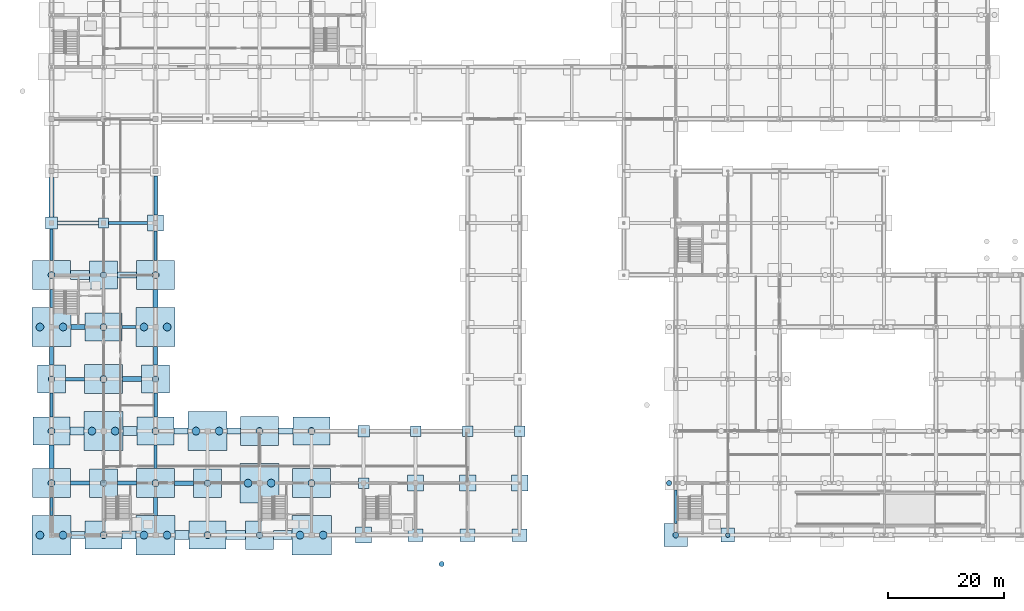
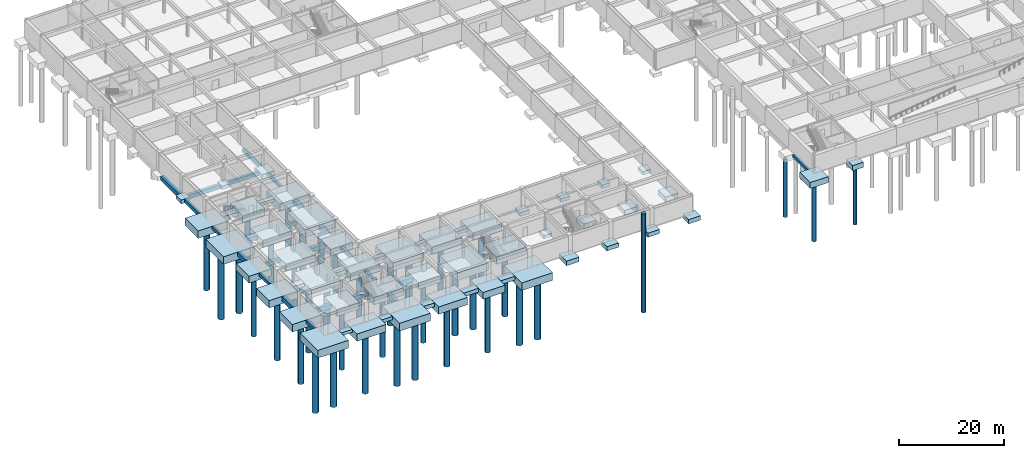
# One storey, part 1 of 41: 80 footings, 39 piles.
"""IFC4 building model written with IfcOpenShell, lengths in metres."""

from ifc_helpers import new_model, si_unit, direction, frame, origin, origin_2d, place, context, subcontext, project, spatial, rectangle, circle, extrude, material, material_profile, profile_set, type_object, element, save


model = new_model("IFC4")

# Units and contexts
model_context = context("Model", 3, precision=1e-05, world=origin(), true_north=direction((0.0, 1.0)))
body_context = subcontext(model_context, "Body", "Model", "MODEL_VIEW")
ifc_project = project(units=[si_unit("LENGTHUNIT", "METRE"), si_unit("AREAUNIT", "SQUARE_METRE"), si_unit("VOLUMEUNIT", "CUBIC_METRE"), si_unit("PLANEANGLEUNIT", "RADIAN"), si_unit("MASSUNIT", "GRAM", prefix="KILO")], contexts=[model_context])

# Site, building, storey
site_placement = place(None, origin())
site = spatial("IfcSite", under=ifc_project, at=site_placement, CompositionType="ELEMENT")
building_placement = place(site_placement, origin())
building = spatial("IfcBuilding", under=site, at=building_placement, Name="Palais des Congres Ocreval", CompositionType="ELEMENT")
storey_placement = place(building_placement, frame((0.0, 0.0, -8.9599609375)))
storey = spatial("IfcBuildingStorey", under=building, at=storey_placement, Name="B2", CompositionType="ELEMENT", Elevation=-8.9599609375)

# Piles
ifc_material = material(Name="Concrete C35/45", Category="concrete")
ifc_material_profile_1 = material_profile(ifc_material, circle(Radius=0.5, at=origin_2d()), Name="BORED PILE 1000")
ifc_profile_set_1 = profile_set([ifc_material_profile_1], Name="Concrete C35/45")
pile_type_1 = type_object("IfcPileType", Name="Bored Pile D1000 Concrete C35/45", PredefinedType="BORED", material=ifc_profile_set_1)
pile_1_placement = place(storey_placement, frame((108.0, 0.0, -2.0), z_axis=(0.0, 0.0, -1.0), x_axis=(1.0, 0.0, 0.0)))
element("IfcPile", 1, at=pile_1_placement, inside=storey, type_object=pile_type_1, Name="Bored Pile PI03", PredefinedType="BORED", context=body_context, shape_type="SweptSolid", body=[
    extrude(circle(Radius=0.5, at=origin_2d()), origin(), (0.0, 0.0, 1.0), 14.0),
])
ifc_material_profile_2 = material_profile(ifc_material, circle(Radius=0.550048828125, at=origin_2d()), Name="BORED PILE 1100")
ifc_profile_set_2 = profile_set([ifc_material_profile_2], Name="Concrete C35/45")
pile_type_2 = type_object("IfcPileType", Name="Bored Pile D1100 Concrete C35/45", PredefinedType="BORED", material=ifc_profile_set_2)
for number, where, z_axis, x_axis, name in (
    (2, (0.0, 27.0, -2.199951171875), (0.0, 0.0, -1.0), (1.0, 0.0, 0.0), "Bored Pile PI04"),
    (3, (9.0, 9.0, -2.199951171875), (0.0, 0.0, -1.0), (1.0, 0.0, 0.0), "Bored Pile PI04"),
    (4, (9.0, 45.0, -2.199951171875), (0.0, 0.0, -1.0), (1.0, 0.0, 0.0), "Bored Pile PI04"),
    (5, (18.0, 27.0, -2.199951171875), (0.0, 0.0, -1.0), (1.0, 0.0, 0.0), "Bored Pile PI04"),
    (6, (27.0, 9.0, -2.199951171875), (0.0, 0.0, -1.0), (1.0, 0.0, 0.0), "Bored Pile PI04"),
    (7, (36.0, 0.0, -2.199951171875), (0.0, 0.0, -1.0), (1.0, 0.0, 0.0), "Bored Pile PI04"),
):
    element("IfcPile", number, at=place(storey_placement, frame(where, z_axis=z_axis, x_axis=x_axis)), inside=storey, type_object=pile_type_2, Name=name, PredefinedType="BORED", context=body_context, shape_type="SweptSolid", body=[
        extrude(circle(Radius=0.550048828125, at=origin_2d()), origin(), (0.0, 0.0, 1.0), 14.5),
    ])
ifc_material_profile_3 = material_profile(ifc_material, circle(Radius=0.60009765625, at=origin_2d()), Name="BORED PILE 1200")
ifc_profile_set_3 = profile_set([ifc_material_profile_3], Name="Concrete C35/45")
pile_type_3 = type_object("IfcPileType", Name="Bored Pile D1200 Concrete C35/45", PredefinedType="BORED", material=ifc_profile_set_3)
for number, where, z_axis, x_axis, name in (
    (8, (0.0, 9.0, -2.35009765625), (0.0, 0.0, -1.0), (1.0, 0.0, 0.0), "Bored Pile PI05"),
    (9, (0.0, 18.0, -2.300048828125), (0.0, 0.0, -1.0), (1.0, 0.0, 0.0), "Bored Pile PI05"),
    (10, (0.0, 45.0, -2.35009765625), (0.0, 0.0, -1.0), (1.0, 0.0, 0.0), "Bored Pile PI05"),
    (11, (9.0, 0.0, -2.300048828125), (0.0, 0.0, -1.0), (1.0, 0.0, 0.0), "Bored Pile PI05"),
    (12, (9.0, 27.0, -2.35009765625), (0.0, 0.0, -1.0), (1.0, 0.0, 0.0), "Bored Pile PI05"),
    (13, (9.0, 36.0, -2.300048828125), (0.0, 0.0, -1.0), (1.0, 0.0, 0.0), "Bored Pile PI05"),
    (14, (18.0, 9.0, -2.35009765625), (0.0, 0.0, -1.0), (1.0, 0.0, 0.0), "Bored Pile PI05"),
    (15, (18.0, 18.0, -2.300048828125), (0.0, 0.0, -1.0), (1.0, 0.0, 0.0), "Bored Pile PI05"),
    (16, (18.0, 45.0, -2.35009765625), (0.0, 0.0, -1.0), (1.0, 0.0, 0.0), "Bored Pile PI05"),
    (17, (27.0, 0.0, -2.300048828125), (0.0, 0.0, -1.0), (1.0, 0.0, 0.0), "Bored Pile PI05"),
    (18, (36.0, 18.0, -2.35009765625), (0.0, 0.0, -1.0), (1.0, 0.0, 0.0), "Bored Pile PI05"),
    (19, (45.0, 9.0, -2.35009765625), (0.0, 0.0, -1.0), (1.0, 0.0, 0.0), "Bored Pile PI05"),
    (20, (45.0, 18.0, -2.300048828125), (0.0, 0.0, -1.0), (1.0, 0.0, 0.0), "Bored Pile PI05"),
):
    element("IfcPile", number, at=place(storey_placement, frame(where, z_axis=z_axis, x_axis=x_axis)), inside=storey, type_object=pile_type_3, Name=name, PredefinedType="BORED", context=body_context, shape_type="SweptSolid", body=[
        extrude(circle(Radius=0.60009765625, at=origin_2d()), origin(), (0.0, 0.0, 1.0), 14.5),
    ])
ifc_material_profile_4 = material_profile(ifc_material, circle(Radius=0.675048828125, at=origin_2d()), Name="BORED PILE 1350")
ifc_profile_set_4 = profile_set([ifc_material_profile_4], Name="Concrete C35/45")
pile_type_4 = type_object("IfcPileType", Name="Bored Pile D1350 Concrete C35/45", PredefinedType="BORED", material=ifc_profile_set_4)
for number, where, z_axis, x_axis, name in (
    (21, (-2.0, 0.0, -2.400146484375), (0.0, 0.0, -1.0), (1.0, 0.0, 0.0), "Bored Pile PI06"),
    (22, (2.0, 0.0, -2.400146484375), (0.0, 0.0, -1.0), (1.0, 0.0, 0.0), "Bored Pile PI06"),
    (23, (-2.0, 36.0, -2.400146484375), (0.0, 0.0, -1.0), (1.0, 0.0, 0.0), "Bored Pile PI06"),
    (24, (2.0, 36.0, -2.400146484375), (0.0, 0.0, -1.0), (1.0, 0.0, 0.0), "Bored Pile PI06"),
    (25, (7.0, 18.0, -2.400146484375), (0.0, 0.0, -1.0), (1.0, 0.0, 0.0), "Bored Pile PI06"),
    (26, (11.0, 18.0, -2.400146484375), (0.0, 0.0, -1.0), (1.0, 0.0, 0.0), "Bored Pile PI06"),
    (27, (16.0, 0.0, -2.400146484375), (0.0, 0.0, -1.0), (1.0, 0.0, 0.0), "Bored Pile PI06"),
    (28, (20.0, 0.0, -2.400146484375), (0.0, 0.0, -1.0), (1.0, 0.0, 0.0), "Bored Pile PI06"),
    (29, (16.0, 36.0, -2.400146484375), (0.0, 0.0, -1.0), (1.0, 0.0, 0.0), "Bored Pile PI06"),
    (30, (20.0, 36.0, -2.400146484375), (0.0, 0.0, -1.0), (1.0, 0.0, 0.0), "Bored Pile PI06"),
    (31, (25.0, 18.0, -2.400146484375), (0.0, 0.0, -1.0), (1.0, 0.0, 0.0), "Bored Pile PI06"),
    (32, (29.0, 18.0, -2.400146484375), (0.0, 0.0, -1.0), (1.0, 0.0, 0.0), "Bored Pile PI06"),
    (33, (34.0, 9.0, -2.400146484375), (0.0, 0.0, -1.0), (1.0, 0.0, 0.0), "Bored Pile PI06"),
    (34, (38.0, 9.0, -2.400146484375), (0.0, 0.0, -1.0), (1.0, 0.0, 0.0), "Bored Pile PI06"),
    (35, (43.0, 0.0, -2.400146484375), (0.0, 0.0, -1.0), (1.0, 0.0, 0.0), "Bored Pile PI06"),
    (36, (47.0, 0.0, -2.400146484375), (0.0, 0.0, -1.0), (1.0, 0.0, 0.0), "Bored Pile PI06"),
):
    element("IfcPile", number, at=place(storey_placement, frame(where, z_axis=z_axis, x_axis=x_axis)), inside=storey, type_object=pile_type_4, Name=name, PredefinedType="BORED", context=body_context, shape_type="SweptSolid", body=[
        extrude(circle(Radius=0.675048828125, at=origin_2d()), origin(), (0.0, 0.0, 1.0), 15.0),
    ])
ifc_material_profile_5 = material_profile(ifc_material, circle(Radius=0.39990234375, at=origin_2d()), Name="BORED PILE 800")
ifc_profile_set_5 = profile_set([ifc_material_profile_5], Name="Concrete C35/45")
pile_type_5 = type_object("IfcPileType", Name="Bored Pile D800 Concrete C35/45", PredefinedType="BORED", material=ifc_profile_set_5)
pile_2_placement = place(storey_placement, frame((117.0, 0.0, -1.800048828125), z_axis=(0.0, 0.0, -1.0), x_axis=(1.0, 0.0, 0.0)))
element("IfcPile", 37, at=pile_2_placement, inside=storey, type_object=pile_type_5, Name="Bored Pile PI01", PredefinedType="BORED", context=body_context, shape_type="SweptSolid", body=[
    extrude(circle(Radius=0.39990234375, at=origin_2d()), origin(), (0.0, 0.0, 1.0), 13.5),
])
ifc_material_profile_6 = material_profile(ifc_material, circle(Radius=0.449951171875, at=origin_2d()), Name="BORED PILE 900")
ifc_profile_set_6 = profile_set([ifc_material_profile_6], Name="Concrete C35/45")
pile_type_6 = type_object("IfcPileType", Name="Bored Pile D900 Concrete C35/45", PredefinedType="BORED", material=ifc_profile_set_6)
pile_3_placement = place(storey_placement, frame((106.85009765625, 9.0, -1.900146484375), z_axis=(0.0, 0.0, -1.0), x_axis=(1.0, 0.0, 0.0)))
element("IfcPile", 38, at=pile_3_placement, inside=storey, type_object=pile_type_6, Name="Bored Pile PI02", PredefinedType="BORED", context=body_context, shape_type="SweptSolid", body=[
    extrude(circle(Radius=0.449951171875, at=origin_2d()), origin(), (0.0, 0.0, 1.0), 13.5),
])
pile_4_placement = place(storey_placement, frame((67.5, -5.0, 7.679931640625), z_axis=(0.0, 0.0, -1.0), x_axis=(1.0, 0.0, 0.0)))
element("IfcPile", 39, at=pile_4_placement, inside=storey, type_object=pile_type_6, Name="South Crossroads Accessible PMR Ramp R4 Threshold Bored Pile", PredefinedType="BORED", context=body_context, shape_type="SweptSolid", body=[
    extrude(circle(Radius=0.449951171875, at=origin_2d()), origin(), (0.0, 0.0, 1.0), 23.080078125),
])

# Footings
footing_type_1 = type_object("IfcFootingType", Name="Ground Tie Beam 500x700 Concrete C35/45", PredefinedType="FOOTING_BEAM", material=ifc_material)
footing_1_placement = place(storey_placement, frame((0.0, 22.47509765625, -1.2998046875), z_axis=(0.0, 0.0, 1.0), x_axis=(0.0, 1.0, 0.0)))
element("IfcFooting", 40, at=footing_1_placement, inside=storey, type_object=footing_type_1, Name="Foundation Beam TB04", PredefinedType="FOOTING_BEAM", context=body_context, shape_type="SweptSolid", body=[
    extrude(rectangle(XDim=4.14990234375, YDim=0.5, at=origin_2d()), origin(), (0.0, 0.0, 1.0), 0.699951171875),
])
footing_2_placement = place(storey_placement, frame((0.0, 40.949951171875, -1.2998046875), z_axis=(0.0, 0.0, 1.0), x_axis=(0.0, 1.0, 0.0)))
element("IfcFooting", 41, at=footing_2_placement, inside=storey, type_object=footing_type_1, Name="Foundation Beam TB04", PredefinedType="FOOTING_BEAM", context=body_context, shape_type="SweptSolid", body=[
    extrude(rectangle(XDim=3.10009765625, YDim=0.5, at=origin_2d()), origin(), (0.0, 0.0, 1.0), 0.699951171875),
])
footing_3_placement = place(storey_placement, frame((13.39990234375, 36.0, -1.2998046875), z_axis=(0.0, 0.0, 1.0), x_axis=(1.0, 0.0, 0.0)))
element("IfcFooting", 42, at=footing_3_placement, inside=storey, type_object=footing_type_1, Name="Foundation Beam TB04", PredefinedType="FOOTING_BEAM", context=body_context, shape_type="SweptSolid", body=[
    extrude(rectangle(XDim=2.39990234375, YDim=0.5, at=origin_2d()), origin(), (0.0, 0.0, 1.0), 0.699951171875),
])
footing_4_placement = place(storey_placement, frame((18.0, 13.550048828125, -1.2998046875), z_axis=(0.0, 0.0, 1.0), x_axis=(0.0, 1.0, 0.0)))
element("IfcFooting", 43, at=footing_4_placement, inside=storey, type_object=footing_type_1, Name="Foundation Beam TB04", PredefinedType="FOOTING_BEAM", context=body_context, shape_type="SweptSolid", body=[
    extrude(rectangle(XDim=4.10009765625, YDim=0.5, at=origin_2d()), origin(), (0.0, 0.0, 1.0), 0.699951171875),
])
footing_5_placement = place(storey_placement, frame((18.0, 50.050048828125, -1.2998046875), z_axis=(0.0, 0.0, 1.0), x_axis=(0.0, 1.0, 0.0)))
element("IfcFooting", 44, at=footing_5_placement, inside=storey, type_object=footing_type_1, Name="Foundation Beam TB04", PredefinedType="FOOTING_BEAM", context=body_context, shape_type="SweptSolid", body=[
    extrude(rectangle(XDim=5.10009765625, YDim=0.5, at=origin_2d()), origin(), (0.0, 0.0, 1.0), 0.699951171875),
])
footing_6_placement = place(storey_placement, frame((108.0, 4.89990234375, -1.2998046875), z_axis=(0.0, 0.0, 1.0), x_axis=(0.0, 1.0, 0.0)))
element("IfcFooting", 45, at=footing_6_placement, inside=storey, type_object=footing_type_1, Name="Foundation Beam TB04", PredefinedType="FOOTING_BEAM", context=body_context, shape_type="SweptSolid", body=[
    extrude(rectangle(XDim=5.800048828125, YDim=0.5, at=origin_2d()), origin(), (0.0, 0.0, 1.0), 0.699951171875),
])
footing_type_2 = type_object("IfcFootingType", Name="Ground Tie Beam 600x800 Concrete C35/45", PredefinedType="FOOTING_BEAM", material=ifc_material)
footing_7_placement = place(storey_placement, frame((0.0, 4.949951171875, -1.39990234375), z_axis=(0.0, 0.0, 1.0), x_axis=(0.0, 1.0, 0.0)))
element("IfcFooting", 46, at=footing_7_placement, inside=storey, type_object=footing_type_2, Name="Foundation Beam TB01", PredefinedType="FOOTING_BEAM", context=body_context, shape_type="SweptSolid", body=[
    extrude(rectangle(XDim=3.10009765625, YDim=0.60009765625, at=origin_2d()), origin(), (0.0, 0.0, 1.0), 0.800048828125),
])
footing_8_placement = place(storey_placement, frame((4.074951171875, 27.0, -1.39990234375), z_axis=(0.0, 0.0, 1.0), x_axis=(1.0, 0.0, 0.0)))
element("IfcFooting", 47, at=footing_8_placement, inside=storey, type_object=footing_type_2, Name="Foundation Beam TB01", PredefinedType="FOOTING_BEAM", context=body_context, shape_type="SweptSolid", body=[
    extrude(rectangle(XDim=3.25, YDim=0.60009765625, at=origin_2d()), origin(), (0.0, 0.0, 1.0), 0.800048828125),
])
footing_9_placement = place(storey_placement, frame((0.0, 50.25, -1.39990234375), z_axis=(0.0, 0.0, 1.0), x_axis=(0.0, 1.0, 0.0)))
element("IfcFooting", 48, at=footing_9_placement, inside=storey, type_object=footing_type_2, Name="Foundation Beam TB01", PredefinedType="FOOTING_BEAM", context=body_context, shape_type="SweptSolid", body=[
    extrude(rectangle(XDim=5.5, YDim=0.60009765625, at=origin_2d()), origin(), (0.0, 0.0, 1.0), 0.800048828125),
])
footing_10_placement = place(storey_placement, frame((13.25, 54.0, -1.39990234375), z_axis=(0.0, 0.0, 1.0), x_axis=(1.0, 0.0, 0.0)))
element("IfcFooting", 49, at=footing_10_placement, inside=storey, type_object=footing_type_2, Name="Foundation Beam TB01", PredefinedType="FOOTING_BEAM", context=body_context, shape_type="SweptSolid", body=[
    extrude(rectangle(XDim=6.699951171875, YDim=0.60009765625, at=origin_2d()), origin(), (0.0, 0.0, 1.0), 0.800048828125),
])
footing_11_placement = place(storey_placement, frame((18.0, 22.47509765625, -1.39990234375), z_axis=(0.0, 0.0, 1.0), x_axis=(0.0, 1.0, 0.0)))
element("IfcFooting", 50, at=footing_11_placement, inside=storey, type_object=footing_type_2, Name="Foundation Beam TB01", PredefinedType="FOOTING_BEAM", context=body_context, shape_type="SweptSolid", body=[
    extrude(rectangle(XDim=4.14990234375, YDim=0.60009765625, at=origin_2d()), origin(), (0.0, 0.0, 1.0), 0.800048828125),
])
footing_12_placement = place(storey_placement, frame((18.0, 58.75, -1.39990234375), z_axis=(0.0, 0.0, 1.0), x_axis=(0.0, 1.0, 0.0)))
element("IfcFooting", 51, at=footing_12_placement, inside=storey, type_object=footing_type_2, Name="Foundation Beam TB01", PredefinedType="FOOTING_BEAM", context=body_context, shape_type="SweptSolid", body=[
    extrude(rectangle(XDim=6.699951171875, YDim=0.60009765625, at=origin_2d()), origin(), (0.0, 0.0, 1.0), 0.800048828125),
])
footing_type_3 = type_object("IfcFootingType", Name="Ground Tie Beam 700x900 Concrete C35/45", PredefinedType="FOOTING_BEAM", material=ifc_material)
footing_13_placement = place(storey_placement, frame((4.925048828125, 9.0, -1.5), z_axis=(0.0, 0.0, 1.0), x_axis=(1.0, 0.0, 0.0)))
element("IfcFooting", 52, at=footing_13_placement, inside=storey, type_object=footing_type_3, Name="Foundation Beam TB02", PredefinedType="FOOTING_BEAM", context=body_context, shape_type="SweptSolid", body=[
    extrude(rectangle(XDim=3.25, YDim=0.699951171875, at=origin_2d()), origin(), (0.0, 0.0, 1.0), 0.89990234375),
])
footing_14_placement = place(storey_placement, frame((0.0, 31.02490234375, -1.5), z_axis=(0.0, 0.0, 1.0), x_axis=(0.0, 1.0, 0.0)))
element("IfcFooting", 53, at=footing_14_placement, inside=storey, type_object=footing_type_3, Name="Foundation Beam TB02", PredefinedType="FOOTING_BEAM", context=body_context, shape_type="SweptSolid", body=[
    extrude(rectangle(XDim=3.14990234375, YDim=0.699951171875, at=origin_2d()), origin(), (0.0, 0.0, 1.0), 0.89990234375),
])
footing_15_placement = place(storey_placement, frame((4.550048828125, 54.0, -1.5), z_axis=(0.0, 0.0, 1.0), x_axis=(1.0, 0.0, 0.0)))
element("IfcFooting", 54, at=footing_15_placement, inside=storey, type_object=footing_type_3, Name="Foundation Beam TB02", PredefinedType="FOOTING_BEAM", context=body_context, shape_type="SweptSolid", body=[
    extrude(rectangle(XDim=7.10009765625, YDim=0.699951171875, at=origin_2d()), origin(), (0.0, 0.0, 1.0), 0.89990234375),
])
footing_16_placement = place(storey_placement, frame((13.074951171875, 9.0, -1.5), z_axis=(0.0, 0.0, 1.0), x_axis=(1.0, 0.0, 0.0)))
element("IfcFooting", 55, at=footing_16_placement, inside=storey, type_object=footing_type_3, Name="Foundation Beam TB02", PredefinedType="FOOTING_BEAM", context=body_context, shape_type="SweptSolid", body=[
    extrude(rectangle(XDim=3.25, YDim=0.699951171875, at=origin_2d()), origin(), (0.0, 0.0, 1.0), 0.89990234375),
])
footing_17_placement = place(storey_placement, frame((18.0, 4.949951171875, -1.5), z_axis=(0.0, 0.0, 1.0), x_axis=(0.0, 1.0, 0.0)))
element("IfcFooting", 56, at=footing_17_placement, inside=storey, type_object=footing_type_3, Name="Foundation Beam TB02", PredefinedType="FOOTING_BEAM", context=body_context, shape_type="SweptSolid", body=[
    extrude(rectangle(XDim=3.10009765625, YDim=0.699951171875, at=origin_2d()), origin(), (0.0, 0.0, 1.0), 0.89990234375),
])
footing_18_placement = place(storey_placement, frame((18.0, 31.02490234375, -1.5), z_axis=(0.0, 0.0, 1.0), x_axis=(0.0, 1.0, 0.0)))
element("IfcFooting", 57, at=footing_18_placement, inside=storey, type_object=footing_type_3, Name="Foundation Beam TB02", PredefinedType="FOOTING_BEAM", context=body_context, shape_type="SweptSolid", body=[
    extrude(rectangle(XDim=3.14990234375, YDim=0.699951171875, at=origin_2d()), origin(), (0.0, 0.0, 1.0), 0.89990234375),
])
footing_type_4 = type_object("IfcFootingType", Name="Ground Tie Beam 800x1000 Concrete C35/45", PredefinedType="FOOTING_BEAM", material=ifc_material)
footing_19_placement = place(storey_placement, frame((0.0, 13.550048828125, -1.60009765625), z_axis=(0.0, 0.0, 1.0), x_axis=(0.0, 1.0, 0.0)))
element("IfcFooting", 58, at=footing_19_placement, inside=storey, type_object=footing_type_4, Name="Foundation Beam TB03", PredefinedType="FOOTING_BEAM", context=body_context, shape_type="SweptSolid", body=[
    extrude(rectangle(XDim=4.10009765625, YDim=0.800048828125, at=origin_2d()), origin(), (0.0, 0.0, 1.0), 1.0),
])
footing_20_placement = place(storey_placement, frame((4.60009765625, 36.0, -1.60009765625), z_axis=(0.0, 0.0, 1.0), x_axis=(1.0, 0.0, 0.0)))
element("IfcFooting", 59, at=footing_20_placement, inside=storey, type_object=footing_type_4, Name="Foundation Beam TB03", PredefinedType="FOOTING_BEAM", context=body_context, shape_type="SweptSolid", body=[
    extrude(rectangle(XDim=2.39990234375, YDim=0.800048828125, at=origin_2d()), origin(), (0.0, 0.0, 1.0), 1.0),
])
footing_21_placement = place(storey_placement, frame((0.0, 58.449951171875, -1.60009765625), z_axis=(0.0, 0.0, 1.0), x_axis=(0.0, 1.0, 0.0)))
element("IfcFooting", 60, at=footing_21_placement, inside=storey, type_object=footing_type_4, Name="Foundation Beam TB03", PredefinedType="FOOTING_BEAM", context=body_context, shape_type="SweptSolid", body=[
    extrude(rectangle(XDim=6.89990234375, YDim=0.800048828125, at=origin_2d()), origin(), (0.0, 0.0, 1.0), 1.0),
])
for number, where, z_axis, x_axis, name in (
    (61, (13.925048828125, 27.0, -1.60009765625), (0.0, 0.0, 1.0), (1.0, 0.0, 0.0), "Foundation Beam TB03"),
    (62, (22.925048828125, 9.0, -1.60009765625), (0.0, 0.0, 1.0), (1.0, 0.0, 0.0), "Foundation Beam TB03"),
):
    element("IfcFooting", number, at=place(storey_placement, frame(where, z_axis=z_axis, x_axis=x_axis)), inside=storey, type_object=footing_type_4, Name=name, PredefinedType="FOOTING_BEAM", context=body_context, shape_type="SweptSolid", body=[
        extrude(rectangle(XDim=3.25, YDim=0.800048828125, at=origin_2d()), origin(), (0.0, 0.0, 1.0), 1.0),
    ])
footing_22_placement = place(storey_placement, frame((18.0, 40.949951171875, -1.60009765625), z_axis=(0.0, 0.0, 1.0), x_axis=(0.0, 1.0, 0.0)))
element("IfcFooting", 63, at=footing_22_placement, inside=storey, type_object=footing_type_4, Name="Foundation Beam TB03", PredefinedType="FOOTING_BEAM", context=body_context, shape_type="SweptSolid", body=[
    extrude(rectangle(XDim=3.10009765625, YDim=0.800048828125, at=origin_2d()), origin(), (0.0, 0.0, 1.0), 1.0),
])
footing_type_5 = type_object("IfcFootingType", Name="Pad Footing 1800x1800x800 Concrete C35/45", PredefinedType="PAD_FOOTING", material=ifc_material)
for number, where, z_axis, x_axis, name in (
    (64, (9.0, 54.0, -1.39990234375), (0.0, 0.0, 1.0), (1.0, 0.0, 0.0), "Foundation PF01 (9,54)"),
    (65, (54.0, 9.0, -1.39990234375), (0.0, 0.0, 1.0), (1.0, 0.0, 0.0), "Foundation PF01 (54,9)"),
    (66, (63.0, 18.0, -1.39990234375), (0.0, 0.0, 1.0), (1.0, 0.0, 0.0), "Foundation PF01 (63,18)"),
    (67, (72.0, 18.0, -1.39990234375), (0.0, 0.0, 1.0), (1.0, 0.0, 0.0), "Foundation PF01 (72,18)"),
    (68, (81.0, 18.0, -1.39990234375), (0.0, 0.0, 1.0), (1.0, 0.0, 0.0), "Foundation PF01 (81,18)"),
):
    element("IfcFooting", number, at=place(storey_placement, frame(where, z_axis=z_axis, x_axis=x_axis)), inside=storey, type_object=footing_type_5, Name=name, PredefinedType="PAD_FOOTING", context=body_context, shape_type="SweptSolid", body=[
        extrude(rectangle(XDim=1.800048828125, YDim=1.800048828125, at=origin_2d()), origin(), (0.0, 0.0, 1.0), 0.800048828125),
    ])
footing_type_6 = type_object("IfcFootingType", Name="Pad Footing 2000x2000x900 Concrete C35/45", PredefinedType="PAD_FOOTING", material=ifc_material)
for number, where, z_axis, x_axis, name in (
    (69, (0.0, 54.0, -1.5), (0.0, 0.0, 1.0), (1.0, 0.0, 0.0), "Foundation PF02 (0,54)"),
    (70, (54.0, 18.0, -1.5), (0.0, 0.0, 1.0), (1.0, 0.0, 0.0), "Foundation PF02 (54,18)"),
):
    element("IfcFooting", number, at=place(storey_placement, frame(where, z_axis=z_axis, x_axis=x_axis)), inside=storey, type_object=footing_type_6, Name=name, PredefinedType="PAD_FOOTING", context=body_context, shape_type="SweptSolid", body=[
        extrude(rectangle(XDim=2.0, YDim=2.0, at=origin_2d()), origin(), (0.0, 0.0, 1.0), 0.89990234375),
    ])
footing_type_7 = type_object("IfcFootingType", Name="Pad Footing 2600x2200x1000 Concrete C35/45", PredefinedType="PAD_FOOTING", material=ifc_material)
for number, where, z_axis, x_axis, name in (
    (71, (63.0, 0.0, -1.60009765625), (0.0, 0.0, 1.0), (1.0, 0.0, 0.0), "Foundation PF04 (63,0)"),
    (72, (72.0, 0.0, -1.60009765625), (0.0, 0.0, 1.0), (1.0, 0.0, 0.0), "Foundation PF04 (72,0)"),
    (73, (81.0, 0.0, -1.60009765625), (0.0, 0.0, 1.0), (1.0, 0.0, 0.0), "Foundation PF04 (81,0)"),
):
    element("IfcFooting", number, at=place(storey_placement, frame(where, z_axis=z_axis, x_axis=x_axis)), inside=storey, type_object=footing_type_7, Name=name, PredefinedType="PAD_FOOTING", context=body_context, shape_type="SweptSolid", body=[
        extrude(rectangle(XDim=2.60009765625, YDim=2.199951171875, at=origin_2d()), origin(), (0.0, 0.0, 1.0), 1.0),
    ])
footing_type_8 = type_object("IfcFootingType", Name="Pad Footing 2800x2800x1100 Concrete C35/45", PredefinedType="PAD_FOOTING", material=ifc_material)
for number, where, z_axis, x_axis, name in (
    (74, (18.0, 54.0, -1.7001953125), (0.0, 0.0, 1.0), (1.0, 0.0, 0.0), "Foundation PF05 (18,54)"),
    (75, (54.0, 0.0, -1.7001953125), (0.0, 0.0, 1.0), (1.0, 0.0, 0.0), "Foundation PF05 (54,0)"),
    (76, (63.0, 9.0, -1.7001953125), (0.0, 0.0, 1.0), (1.0, 0.0, 0.0), "Foundation PF05 (63,9)"),
    (77, (72.0, 9.0, -1.7001953125), (0.0, 0.0, 1.0), (1.0, 0.0, 0.0), "Foundation PF05 (72,9)"),
    (78, (81.0, 9.0, -1.7001953125), (0.0, 0.0, 1.0), (1.0, 0.0, 0.0), "Foundation PF05 (81,9)"),
):
    element("IfcFooting", number, at=place(storey_placement, frame(where, z_axis=z_axis, x_axis=x_axis)), inside=storey, type_object=footing_type_8, Name=name, PredefinedType="PAD_FOOTING", context=body_context, shape_type="SweptSolid", body=[
        extrude(rectangle(XDim=2.800048828125, YDim=2.800048828125, at=origin_2d()), origin(), (0.0, 0.0, 1.0), 1.10009765625),
    ])
footing_type_9 = type_object("IfcFootingType", Name="Pile Cap 2400x2400x1200 Concrete C35/45", PredefinedType="PILE_CAP", material=ifc_material)
footing_23_placement = place(storey_placement, frame((117.0, 0.0, -1.7998046875), z_axis=(0.0, 0.0, 1.0), x_axis=(1.0, 0.0, 0.0)))
element("IfcFooting", 79, at=footing_23_placement, inside=storey, type_object=footing_type_9, Name="Foundation PC01 (117,0)", PredefinedType="PILE_CAP", context=body_context, shape_type="SweptSolid", body=[
    extrude(rectangle(XDim=2.39990234375, YDim=2.39990234375, at=origin_2d()), origin(), (0.0, 0.0, 1.0), 1.199951171875),
])
footing_type_10 = type_object("IfcFootingType", Name="Pile Cap 4000x4000x1400 Concrete C35/45", PredefinedType="PILE_CAP", material=ifc_material)
footing_24_placement = place(storey_placement, frame((108.0, 0.0, -2.0), z_axis=(0.0, 0.0, 1.0), x_axis=(1.0, 0.0, 0.0)))
element("IfcFooting", 80, at=footing_24_placement, inside=storey, type_object=footing_type_10, Name="Foundation PC03 (108,0)", PredefinedType="PILE_CAP", context=body_context, shape_type="SweptSolid", body=[
    extrude(rectangle(XDim=4.0, YDim=4.0, at=origin_2d()), origin(), (0.0, 0.0, 1.0), 1.39990234375),
])
footing_type_11 = type_object("IfcFootingType", Name="Pile Cap 4900x4900x1600 Concrete C35/45", PredefinedType="PILE_CAP", material=ifc_material)
for number, where, z_axis, x_axis, name in (
    (81, (0.0, 27.0, -2.2001953125), (0.0, 0.0, 1.0), (1.0, 0.0, 0.0), "Foundation PC06 (0,27)"),
    (82, (9.0, 9.0, -2.2001953125), (0.0, 0.0, 1.0), (1.0, 0.0, 0.0), "Foundation PC06 (9,9)"),
    (83, (9.0, 45.0, -2.2001953125), (0.0, 0.0, 1.0), (1.0, 0.0, 0.0), "Foundation PC06 (9,45)"),
    (84, (18.0, 27.0, -2.2001953125), (0.0, 0.0, 1.0), (1.0, 0.0, 0.0), "Foundation PC06 (18,27)"),
    (85, (27.0, 9.0, -2.2001953125), (0.0, 0.0, 1.0), (1.0, 0.0, 0.0), "Foundation PC06 (27,9)"),
    (86, (36.0, 0.0, -2.2001953125), (0.0, 0.0, 1.0), (1.0, 0.0, 0.0), "Foundation PC06 (36,0)"),
):
    element("IfcFooting", number, at=place(storey_placement, frame(where, z_axis=z_axis, x_axis=x_axis)), inside=storey, type_object=footing_type_11, Name=name, PredefinedType="PILE_CAP", context=body_context, shape_type="SweptSolid", body=[
        extrude(rectangle(XDim=4.89990234375, YDim=4.89990234375, at=origin_2d()), origin(), (0.0, 0.0, 1.0), 1.60009765625),
    ])
footing_type_12 = type_object("IfcFootingType", Name="Pile Cap 6400x4800x1700 Concrete C35/45", PredefinedType="PILE_CAP", material=ifc_material)
for number, where, z_axis, x_axis, name in (
    (87, (0.0, 18.0, -2.2998046875), (0.0, 0.0, 1.0), (1.0, 0.0, 0.0), "Foundation PC08 (0,18)"),
    (88, (9.0, 0.0, -2.2998046875), (0.0, 0.0, 1.0), (1.0, 0.0, 0.0), "Foundation PC08 (9,0)"),
    (89, (9.0, 36.0, -2.2998046875), (0.0, 0.0, 1.0), (1.0, 0.0, 0.0), "Foundation PC08 (9,36)"),
    (90, (18.0, 18.0, -2.2998046875), (0.0, 0.0, 1.0), (1.0, 0.0, 0.0), "Foundation PC08 (18,18)"),
    (91, (27.0, 0.0, -2.2998046875), (0.0, 0.0, 1.0), (1.0, 0.0, 0.0), "Foundation PC08 (27,0)"),
    (92, (45.0, 18.0, -2.2998046875), (0.0, 0.0, 1.0), (1.0, 0.0, 0.0), "Foundation PC08 (45,18)"),
):
    element("IfcFooting", number, at=place(storey_placement, frame(where, z_axis=z_axis, x_axis=x_axis)), inside=storey, type_object=footing_type_12, Name=name, PredefinedType="PILE_CAP", context=body_context, shape_type="SweptSolid", body=[
        extrude(rectangle(XDim=6.39990234375, YDim=4.800048828125, at=origin_2d()), origin(), (0.0, 0.0, 1.0), 1.699951171875),
    ])
footing_type_13 = type_object("IfcFootingType", Name="Pile Cap 6600x5000x1750 Concrete C35/45", PredefinedType="PILE_CAP", material=ifc_material)
for number, where, z_axis, x_axis, name in (
    (93, (0.0, 9.0, -2.35009765625), (0.0, 0.0, 1.0), (1.0, 0.0, 0.0), "Foundation PC09 (0,9)"),
    (94, (0.0, 45.0, -2.35009765625), (0.0, 0.0, 1.0), (1.0, 0.0, 0.0), "Foundation PC09 (0,45)"),
    (95, (9.0, 27.0, -2.35009765625), (0.0, 0.0, 1.0), (1.0, 0.0, 0.0), "Foundation PC09 (9,27)"),
    (96, (18.0, 9.0, -2.35009765625), (0.0, 0.0, 1.0), (1.0, 0.0, 0.0), "Foundation PC09 (18,9)"),
    (97, (18.0, 45.0, -2.35009765625), (0.0, 0.0, 1.0), (1.0, 0.0, 0.0), "Foundation PC09 (18,45)"),
    (98, (36.0, 18.0, -2.35009765625), (0.0, 0.0, 1.0), (1.0, 0.0, 0.0), "Foundation PC09 (36,18)"),
    (99, (45.0, 9.0, -2.35009765625), (0.0, 0.0, 1.0), (1.0, 0.0, 0.0), "Foundation PC09 (45,9)"),
):
    element("IfcFooting", number, at=place(storey_placement, frame(where, z_axis=z_axis, x_axis=x_axis)), inside=storey, type_object=footing_type_13, Name=name, PredefinedType="PILE_CAP", context=body_context, shape_type="SweptSolid", body=[
        extrude(rectangle(XDim=6.60009765625, YDim=5.0, at=origin_2d()), origin(), (0.0, 0.0, 1.0), 1.75),
    ])
footing_type_14 = type_object("IfcFootingType", Name="Pile Cap 6800x6800x1800 Concrete C35/45", PredefinedType="PILE_CAP", material=ifc_material)
for number, where, z_axis, x_axis, name in (
    (100, (0.0, 0.0, -2.39990234375), (0.0, 0.0, 1.0), (1.0, 0.0, 0.0), "Foundation PC10 (0,0)"),
    (101, (0.0, 36.0, -2.39990234375), (0.0, 0.0, 1.0), (1.0, 0.0, 0.0), "Foundation PC10 (0,36)"),
    (102, (9.0, 18.0, -2.39990234375), (0.0, 0.0, 1.0), (1.0, 0.0, 0.0), "Foundation PC10 (9,18)"),
    (103, (18.0, 0.0, -2.39990234375), (0.0, 0.0, 1.0), (1.0, 0.0, 0.0), "Foundation PC10 (18,0)"),
    (104, (18.0, 36.0, -2.39990234375), (0.0, 0.0, 1.0), (1.0, 0.0, 0.0), "Foundation PC10 (18,36)"),
    (105, (27.0, 18.0, -2.39990234375), (0.0, 0.0, 1.0), (1.0, 0.0, 0.0), "Foundation PC10 (27,18)"),
    (106, (36.0, 9.0, -2.39990234375), (0.0, 0.0, 1.0), (1.0, 0.0, 0.0), "Foundation PC10 (36,9)"),
    (107, (45.0, 0.0, -2.39990234375), (0.0, 0.0, 1.0), (1.0, 0.0, 0.0), "Foundation PC10 (45,0)"),
):
    element("IfcFooting", number, at=place(storey_placement, frame(where, z_axis=z_axis, x_axis=x_axis)), inside=storey, type_object=footing_type_14, Name=name, PredefinedType="PILE_CAP", context=body_context, shape_type="SweptSolid", body=[
        extrude(rectangle(XDim=6.800048828125, YDim=6.800048828125, at=origin_2d()), origin(), (0.0, 0.0, 1.0), 1.800048828125),
    ])
footing_type_15 = type_object("IfcFootingType", Name="Wall Strip Footing 1000x650 Concrete C35/45", PredefinedType="STRIP_FOOTING", material=ifc_material)
footing_25_placement = place(storey_placement, frame((13.074951171875, 45.0, -1.25), z_axis=(0.0, 0.0, 1.0), x_axis=(1.0, 0.0, 0.0)))
element("IfcFooting", 108, at=footing_25_placement, inside=storey, type_object=footing_type_15, Name="Foundation Beam SF04", PredefinedType="STRIP_FOOTING", context=body_context, shape_type="SweptSolid", body=[
    extrude(rectangle(XDim=3.25, YDim=1.0, at=origin_2d()), origin(), (0.0, 0.0, 1.0), 0.64990234375),
])
footing_26_placement = place(storey_placement, frame((22.39990234375, 18.0, -1.25), z_axis=(0.0, 0.0, 1.0), x_axis=(1.0, 0.0, 0.0)))
element("IfcFooting", 109, at=footing_26_placement, inside=storey, type_object=footing_type_15, Name="Foundation Beam SF04", PredefinedType="STRIP_FOOTING", context=body_context, shape_type="SweptSolid", body=[
    extrude(rectangle(XDim=2.39990234375, YDim=1.0, at=origin_2d()), origin(), (0.0, 0.0, 1.0), 0.64990234375),
])
footing_27_placement = place(storey_placement, frame((31.550048828125, 18.0, -1.25), z_axis=(0.0, 0.0, 1.0), x_axis=(1.0, 0.0, 0.0)))
element("IfcFooting", 110, at=footing_27_placement, inside=storey, type_object=footing_type_15, Name="Foundation Beam SF04", PredefinedType="STRIP_FOOTING", context=body_context, shape_type="SweptSolid", body=[
    extrude(rectangle(XDim=2.300048828125, YDim=1.0, at=origin_2d()), origin(), (0.0, 0.0, 1.0), 0.64990234375),
])
footing_28_placement = place(storey_placement, frame((40.550048828125, 18.0, -1.25), z_axis=(0.0, 0.0, 1.0), x_axis=(1.0, 0.0, 0.0)))
element("IfcFooting", 111, at=footing_28_placement, inside=storey, type_object=footing_type_15, Name="Foundation Beam SF04", PredefinedType="STRIP_FOOTING", context=body_context, shape_type="SweptSolid", body=[
    extrude(rectangle(XDim=2.5, YDim=1.0, at=origin_2d()), origin(), (0.0, 0.0, 1.0), 0.64990234375),
])
footing_type_16 = type_object("IfcFootingType", Name="Wall Strip Footing 1200x700 Concrete C35/45", PredefinedType="STRIP_FOOTING", material=ifc_material)
footing_29_placement = place(storey_placement, frame((4.60009765625, 0.0, -1.2998046875), z_axis=(0.0, 0.0, 1.0), x_axis=(1.0, 0.0, 0.0)))
element("IfcFooting", 112, at=footing_29_placement, inside=storey, type_object=footing_type_16, Name="Foundation Beam SF01", PredefinedType="STRIP_FOOTING", context=body_context, shape_type="SweptSolid", body=[
    extrude(rectangle(XDim=2.39990234375, YDim=1.199951171875, at=origin_2d()), origin(), (0.0, 0.0, 1.0), 0.699951171875),
])
footing_type_17 = type_object("IfcFootingType", Name="Wall Strip Footing 1400x800 Concrete C35/45", PredefinedType="STRIP_FOOTING", material=ifc_material)
for number, where, z_axis, x_axis, name in (
    (113, (4.39990234375, 18.0, -1.39990234375), (0.0, 0.0, 1.0), (1.0, 0.0, 0.0), "Foundation Beam SF02"),
    (114, (13.39990234375, 0.0, -1.39990234375), (0.0, 0.0, 1.0), (1.0, 0.0, 0.0), "Foundation Beam SF02"),
):
    element("IfcFooting", number, at=place(storey_placement, frame(where, z_axis=z_axis, x_axis=x_axis)), inside=storey, type_object=footing_type_17, Name=name, PredefinedType="STRIP_FOOTING", context=body_context, shape_type="SweptSolid", body=[
        extrude(rectangle(XDim=2.39990234375, YDim=1.39990234375, at=origin_2d()), origin(), (0.0, 0.0, 1.0), 0.800048828125),
    ])
footing_type_18 = type_object("IfcFootingType", Name="Wall Strip Footing 1600x900 Concrete C35/45", PredefinedType="STRIP_FOOTING", material=ifc_material)
footing_30_placement = place(storey_placement, frame((4.925048828125, 45.0, -1.5), z_axis=(0.0, 0.0, 1.0), x_axis=(1.0, 0.0, 0.0)))
element("IfcFooting", 115, at=footing_30_placement, inside=storey, type_object=footing_type_18, Name="Foundation Beam SF03", PredefinedType="STRIP_FOOTING", context=body_context, shape_type="SweptSolid", body=[
    extrude(rectangle(XDim=3.25, YDim=1.60009765625, at=origin_2d()), origin(), (0.0, 0.0, 1.0), 0.89990234375),
])
for number, where, z_axis, x_axis, name in (
    (116, (13.60009765625, 18.0, -1.5), (0.0, 0.0, 1.0), (1.0, 0.0, 0.0), "Foundation Beam SF03"),
    (117, (22.60009765625, 0.0, -1.5), (0.0, 0.0, 1.0), (1.0, 0.0, 0.0), "Foundation Beam SF03"),
):
    element("IfcFooting", number, at=place(storey_placement, frame(where, z_axis=z_axis, x_axis=x_axis)), inside=storey, type_object=footing_type_18, Name=name, PredefinedType="STRIP_FOOTING", context=body_context, shape_type="SweptSolid", body=[
        extrude(rectangle(XDim=2.39990234375, YDim=1.60009765625, at=origin_2d()), origin(), (0.0, 0.0, 1.0), 0.89990234375),
    ])
footing_31_placement = place(storey_placement, frame((31.875, 0.0, -1.5), z_axis=(0.0, 0.0, 1.0), x_axis=(1.0, 0.0, 0.0)))
element("IfcFooting", 118, at=footing_31_placement, inside=storey, type_object=footing_type_18, Name="Foundation Beam SF03", PredefinedType="STRIP_FOOTING", context=body_context, shape_type="SweptSolid", body=[
    extrude(rectangle(XDim=3.35009765625, YDim=1.60009765625, at=origin_2d()), origin(), (0.0, 0.0, 1.0), 0.89990234375),
])
footing_32_placement = place(storey_placement, frame((40.02490234375, 0.0, -1.5), z_axis=(0.0, 0.0, 1.0), x_axis=(1.0, 0.0, 0.0)))
element("IfcFooting", 119, at=footing_32_placement, inside=storey, type_object=footing_type_18, Name="Foundation Beam SF03", PredefinedType="STRIP_FOOTING", context=body_context, shape_type="SweptSolid", body=[
    extrude(rectangle(XDim=3.14990234375, YDim=1.60009765625, at=origin_2d()), origin(), (0.0, 0.0, 1.0), 0.89990234375),
])

save(model, "model.ifc")
